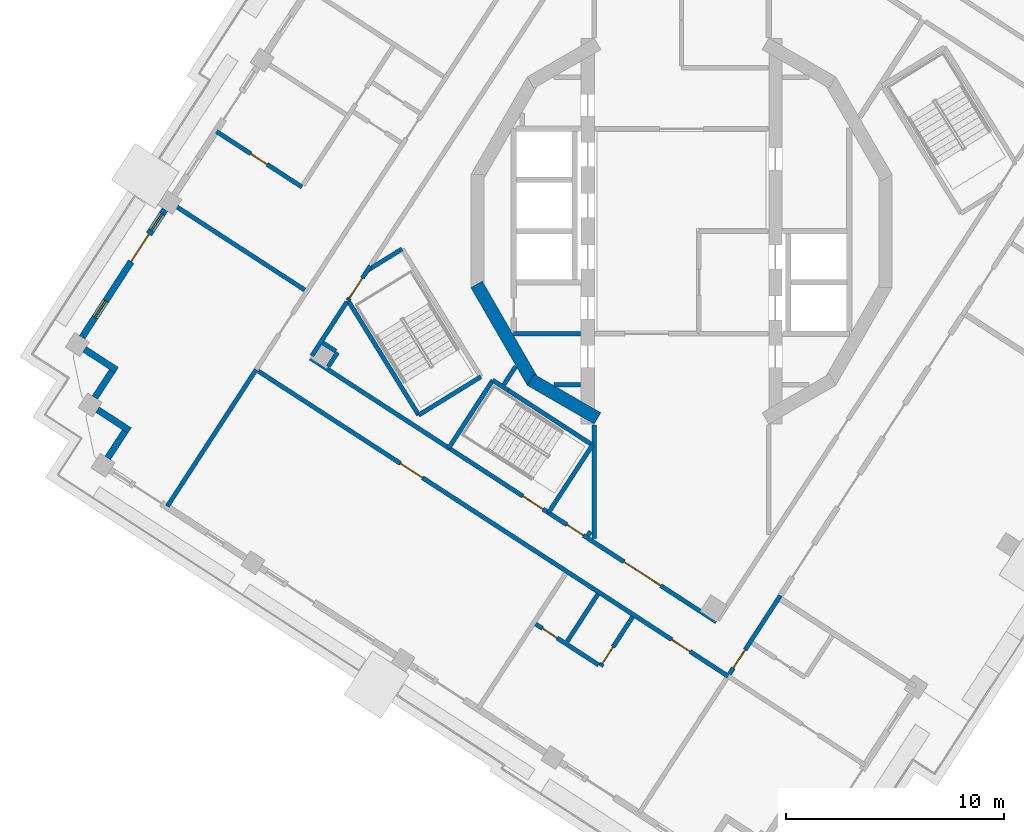
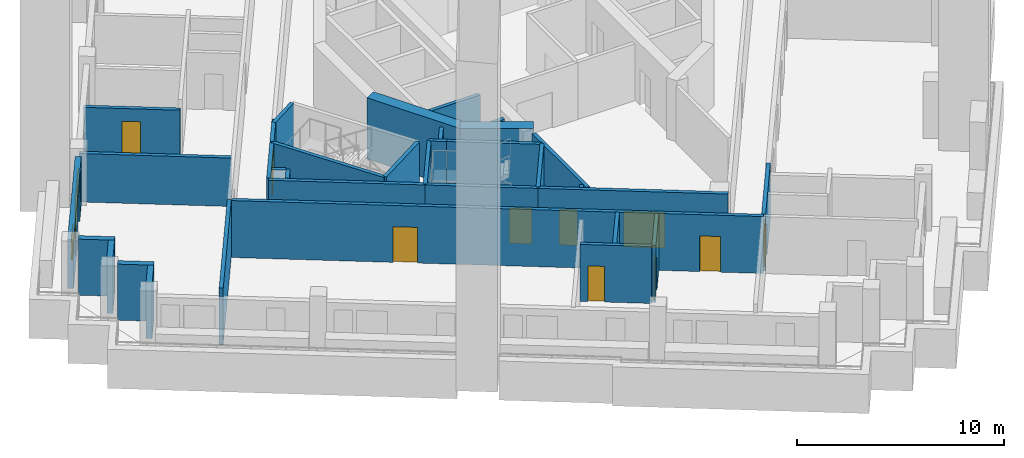
# One storey, part 3 of 15: 34 walls, 11 doors, 2 windows, 13 openings.
"""IFC4 building model written with IfcOpenShell, lengths in metres."""

from ifc_helpers import new_model, si_unit, direction, frame, frame_2d, origin, place, context, subcontext, project, spatial, rectangle, extrude, material, layer, layer_set, type_object, element, fill, save


model = new_model("IFC4")

# Units and contexts
model_context = context("Model", 3, precision=1e-05, world=origin(), true_north=direction((0.0, 1.0)))
body_context = subcontext(model_context, "Body", "Model", "MODEL_VIEW")
ifc_project = project(units=[si_unit("LENGTHUNIT", "METRE"), si_unit("AREAUNIT", "SQUARE_METRE"), si_unit("VOLUMEUNIT", "CUBIC_METRE"), si_unit("PLANEANGLEUNIT", "RADIAN"), si_unit("MASSUNIT", "GRAM", prefix="KILO")], contexts=[model_context])

# Site, building, storey
site_placement = place(None, origin())
site = spatial("IfcSite", under=ifc_project, at=site_placement, CompositionType="ELEMENT")
building_placement = place(site_placement, origin())
building = spatial("IfcBuilding", under=site, at=building_placement, Name="Cantera Rosa Tower", CompositionType="ELEMENT")
storey_placement = place(building_placement, frame((0.0, 0.0, 250.5)))
storey = spatial("IfcBuildingStorey", under=building, at=storey_placement, Name="L55", CompositionType="ELEMENT", Elevation=250.5)

# Wall, openings, doors
ifc_material_1 = material(Name="Gypsum board partition")
ifc_layer_1 = layer(ifc_material_1, 0.199951171875)
ifc_layer_set_1 = layer_set([ifc_layer_1], Name="CORRIDOR WALL 200 H3350")
wall_type_1 = type_object("IfcWallType", Name="CORRIDOR WALL 200 H3350", PredefinedType="PARTITIONING", material=ifc_layer_set_1)
wall_1_placement = place(storey_placement, frame((-19.4052734375, -6.416259765625, 0.0), z_axis=(0.0, 0.0, 1.0), x_axis=(0.83867117695, -0.544638097229, 0.0)))
wall_1 = element("IfcWall", 1, at=wall_1_placement, inside=storey, type_object=wall_type_1, Name="CORRIDOR WALL L55-002", PredefinedType="PARTITIONING", context=body_context, shape_type="SweptSolid", body=[
    extrude(rectangle(XDim=25.679931640625, YDim=0.199951171875, at=frame_2d((12.83984375, 0.0))), origin(), (0.0, 0.0, 1.0), 3.35009765625),
])
opening_1_placement = place(wall_1_placement, frame((7.780029296875, 0.0, 0.0)))
opening_1 = element("IfcOpeningElement", 2, at=opening_1_placement, cuts=wall_1, Name="Opening L55-037", PredefinedType="OPENING", context=body_context, shape_type="SweptSolid", body=[
    extrude(rectangle(XDim=1.199951171875, YDim=2.10009765625, at=frame_2d((0.60009765625, 1.050048828125))), frame((0.0, 0.10986328125, 0.0), z_axis=(0.0, -1.0, 0.0), x_axis=(1.0, 0.0, 0.0)), (0.0, 0.0, 1.0), 0.219970703125),
])
opening_2_placement = place(wall_1_placement, frame((22.60498046875, 0.0, 0.0)))
opening_2 = element("IfcOpeningElement", 3, at=opening_2_placement, cuts=wall_1, Name="Opening L55-038", PredefinedType="OPENING", context=body_context, shape_type="SweptSolid", body=[
    extrude(rectangle(XDim=1.0, YDim=2.10009765625, at=frame_2d((0.5, 1.050048828125))), frame((0.0, 0.10986328125, 0.0), z_axis=(0.0, -1.0, 0.0), x_axis=(1.0, 0.0, 0.0)), (0.0, 0.0, 1.0), 0.219970703125),
])
ifc_material_2 = material(Name="Timber door leaf", Category="wood")
door_type_1 = type_object("IfcDoorType", Name="ENTRANCE DOOR 1000x2100", OperationType="NOTDEFINED", PredefinedType="DOOR", material=ifc_material_2)
door_1_placement = place(opening_2_placement, origin())
door_1 = element("IfcDoor", 4, at=door_1_placement, inside=storey, type_object=door_type_1, Name="DOOR L55-038", OperationType="NOTDEFINED", OverallHeight=2.10009765625, OverallWidth=1.0, PredefinedType="DOOR", context=body_context, shape_type="SweptSolid", body=[
    extrude(rectangle(XDim=1.0, YDim=2.10009765625, at=frame_2d((0.5, 1.050048828125))), frame((0.0, 0.02490234375, 0.0), z_axis=(0.0, -1.0, 0.0), x_axis=(1.0, 0.0, 0.0)), (0.0, 0.0, 1.0), 0.050048828125),
])
fill(opening_2, door_1)
ifc_material_3 = material(Name="Timber door leaf", Category="wood")
door_type_2 = type_object("IfcDoorType", Name="ROOM DOOR 1200x2100", OperationType="NOTDEFINED", PredefinedType="DOOR", material=ifc_material_3)
door_2_placement = place(opening_1_placement, origin())
door_2 = element("IfcDoor", 5, at=door_2_placement, inside=storey, type_object=door_type_2, Name="DOOR L55-037", OperationType="NOTDEFINED", OverallHeight=2.10009765625, OverallWidth=1.199951171875, PredefinedType="DOOR", context=body_context, shape_type="SweptSolid", body=[
    extrude(rectangle(XDim=1.199951171875, YDim=2.10009765625, at=frame_2d((0.60009765625, 1.050048828125))), frame((0.0, 0.02490234375, 0.0), z_axis=(0.0, -1.0, 0.0), x_axis=(1.0, 0.0, 0.0)), (0.0, 0.0, 1.0), 0.050048828125),
])
fill(opening_1, door_2)

# Walls
wall_2_placement = place(storey_placement, frame((-17.015869140625, -5.82177734375, 0.0), z_axis=(0.0, 0.0, 1.0), x_axis=(0.838672854678, -0.544635513739, 0.0)))
element("IfcWall", 6, at=wall_2_placement, inside=storey, type_object=wall_type_1, Name="CORRIDOR WALL L55-005", PredefinedType="PARTITIONING", context=body_context, shape_type="SweptSolid", body=[
    extrude(rectangle(XDim=7.56494140625, YDim=0.199951171875, at=frame_2d((3.782470703125, 0.0))), origin(), (0.0, 0.0, 1.0), 3.35009765625),
])
wall_3_placement = place(storey_placement, frame((-15.349853515625, -3.256103515625, 0.0), z_axis=(0.0, 0.0, 1.0), x_axis=(-0.544576607641, -0.838711105453, 0.0)))
element("IfcWall", 7, at=wall_3_placement, inside=storey, type_object=wall_type_1, Name="CORRIDOR WALL L55-008", PredefinedType="PARTITIONING", context=body_context, shape_type="SweptSolid", body=[
    extrude(rectangle(XDim=2.939208984375, YDim=0.199951171875, at=frame_2d((1.4697265625, 0.0))), origin(), (0.0, 0.0, 1.0), 3.35009765625),
])

# Wall, openings, doors
wall_4_placement = place(storey_placement, frame((-6.1005859375, -12.91015625, 0.0), z_axis=(0.0, 0.0, 1.0), x_axis=(0.838671883824, -0.544637008734, 0.0)))
wall_4 = element("IfcWall", 8, at=wall_4_placement, inside=storey, type_object=wall_type_1, Name="CORRIDOR WALL L55-031", PredefinedType="PARTITIONING", context=body_context, shape_type="SweptSolid", body=[
    extrude(rectangle(XDim=9.184814453125, YDim=0.199951171875, at=frame_2d((4.59228515625, 0.0))), origin(), (0.0, 0.0, 1.0), 3.35009765625),
])
opening_3_placement = place(wall_4_placement, frame((1.009521484375, 0.0, 0.0)))
opening_3 = element("IfcOpeningElement", 9, at=opening_3_placement, cuts=wall_4, Name="Opening L55-005", PredefinedType="OPENING", context=body_context, shape_type="SweptSolid", body=[
    extrude(rectangle(XDim=0.89990234375, YDim=2.10009765625, at=frame_2d((0.449951171875, 1.050048828125))), frame((0.0, 0.10986328125, 0.0), z_axis=(0.0, -1.0, 0.0), x_axis=(1.0, 0.0, 0.0)), (0.0, 0.0, 1.0), 0.219970703125),
])
opening_4_placement = place(wall_4_placement, frame((4.135009765625, 0.0, 0.0)))
opening_4 = element("IfcOpeningElement", 10, at=opening_4_placement, cuts=wall_4, Name="Opening L55-010", PredefinedType="OPENING", context=body_context, shape_type="SweptSolid", body=[
    extrude(rectangle(XDim=2.0, YDim=2.10009765625, at=frame_2d((1.0, 1.050048828125))), frame((0.0, 0.10986328125, 0.0), z_axis=(0.0, -1.0, 0.0), x_axis=(1.0, 0.0, 0.0)), (0.0, 0.0, 1.0), 0.219970703125),
])
ifc_material_4 = material(Name="Steel S355J2 (EN 10025-2)", Category="steel")
door_type_3 = type_object("IfcDoorType", Name="LOBBY SCREEN DOOR 2000x2100", OperationType="NOTDEFINED", PredefinedType="DOOR", material=ifc_material_4)
door_3_placement = place(opening_4_placement, origin())
door_3 = element("IfcDoor", 11, at=door_3_placement, inside=storey, type_object=door_type_3, Name="DOOR L55-010", OperationType="NOTDEFINED", OverallHeight=2.10009765625, OverallWidth=2.0, PredefinedType="DOOR", context=body_context, shape_type="SweptSolid", body=[
    extrude(rectangle(XDim=2.0, YDim=2.10009765625, at=frame_2d((1.0, 1.050048828125))), frame((0.0, 0.02490234375, 0.0), z_axis=(0.0, -1.0, 0.0), x_axis=(1.0, 0.0, 0.0)), (0.0, 0.0, 1.0), 0.050048828125),
])
fill(opening_4, door_3)
ifc_material_5 = material(Name="Timber door leaf", Category="wood")
door_type_4 = type_object("IfcDoorType", Name="SERVICE DOOR 900x2100", OperationType="NOTDEFINED", PredefinedType="DOOR", material=ifc_material_5)
door_4_placement = place(opening_3_placement, origin())
door_4 = element("IfcDoor", 12, at=door_4_placement, inside=storey, type_object=door_type_4, Name="DOOR L55-005", OperationType="NOTDEFINED", OverallHeight=2.10009765625, OverallWidth=0.89990234375, PredefinedType="DOOR", context=body_context, shape_type="SweptSolid", body=[
    extrude(rectangle(XDim=0.89990234375, YDim=2.10009765625, at=frame_2d((0.449951171875, 1.050048828125))), frame((0.0, 0.02490234375, 0.0), z_axis=(0.0, -1.0, 0.0), x_axis=(1.0, 0.0, 0.0)), (0.0, 0.0, 1.0), 0.050048828125),
])
fill(opening_3, door_4)

# Wall
wall_5_placement = place(storey_placement, frame((-4.0, -14.09423828125, 0.0), z_axis=(0.0, 0.0, 1.0), x_axis=(0.0, 1.0, 0.0)))
element("IfcWall", 13, at=wall_5_placement, inside=storey, type_object=wall_type_1, Name="CORRIDOR WALL L55-039", PredefinedType="PARTITIONING", context=body_context, shape_type="SweptSolid", body=[
    extrude(rectangle(XDim=5.21533203125, YDim=0.199951171875, at=frame_2d((2.607666015625, 0.0))), origin(), (0.0, 0.0, 1.0), 3.35009765625),
])

# Wall, opening, door
wall_6_placement = place(storey_placement, frame((2.197265625, -20.302001953125, 0.0), z_axis=(0.0, 0.0, 1.0), x_axis=(0.544627823196, 0.83867784888, 0.0)))
wall_6 = element("IfcWall", 14, at=wall_6_placement, inside=storey, type_object=wall_type_1, Name="CORRIDOR WALL L55-059", PredefinedType="PARTITIONING", context=body_context, shape_type="SweptSolid", body=[
    extrude(rectangle(XDim=4.284912109375, YDim=0.199951171875, at=frame_2d((2.142578125, 0.0))), origin(), (0.0, 0.0, 1.0), 3.35009765625),
])
opening_5_placement = place(wall_6_placement, frame((0.320068359375, 0.0, 0.0)))
opening_5 = element("IfcOpeningElement", 15, at=opening_5_placement, cuts=wall_6, Name="Opening L55-043", PredefinedType="OPENING", context=body_context, shape_type="SweptSolid", body=[
    extrude(rectangle(XDim=1.0, YDim=2.10009765625, at=frame_2d((0.5, 1.050048828125))), frame((0.0, 0.10986328125, 0.0), z_axis=(0.0, -1.0, 0.0), x_axis=(1.0, 0.0, 0.0)), (0.0, 0.0, 1.0), 0.219970703125),
])
door_5_placement = place(opening_5_placement, origin())
door_5 = element("IfcDoor", 16, at=door_5_placement, inside=storey, type_object=door_type_1, Name="DOOR L55-043", OperationType="NOTDEFINED", OverallHeight=2.10009765625, OverallWidth=1.0, PredefinedType="DOOR", context=body_context, shape_type="SweptSolid", body=[
    extrude(rectangle(XDim=1.0, YDim=2.10009765625, at=frame_2d((0.5, 1.050048828125))), frame((0.0, 0.02490234375, 0.0), z_axis=(0.0, -1.0, 0.0), x_axis=(1.0, 0.0, 0.0)), (0.0, 0.0, 1.0), 0.050048828125),
])
fill(opening_5, door_5)

# Walls
ifc_material_6 = material(Name="Hollow clay masonry with cantera stone cladding", Category="masonry")
ifc_layer_2 = layer(ifc_material_6, 0.300048828125)
ifc_layer_set_2 = layer_set([ifc_layer_2], Name="EW-LOGGIA 300")
wall_type_2 = type_object("IfcWallType", Name="EW-LOGGIA 300", PredefinedType="SOLIDWALL", material=ifc_layer_set_2)
wall_7_placement = place(storey_placement, frame((-27.36669921875, -5.41943359375, 0.0), z_axis=(0.0, 0.0, 1.0), x_axis=(0.838685761837, -0.54461563776, 0.0)))
element("IfcWall", 17, at=wall_7_placement, inside=storey, type_object=wall_type_2, Name="EN-L55-W12a", PredefinedType="SOLIDWALL", context=body_context, shape_type="SweptSolid", body=[
    extrude(rectangle(XDim=1.75, YDim=0.300048828125, at=frame_2d((0.875, 0.0))), origin(), (0.0, 0.0, 1.0), 3.300048828125),
])
wall_8_placement = place(storey_placement, frame((-26.1064453125, -6.41650390625, 0.0), z_axis=(0.0, 0.0, 1.0), x_axis=(-0.54467465438, -0.838647435384, 0.0)))
element("IfcWall", 18, at=wall_8_placement, inside=storey, type_object=wall_type_2, Name="EN-L55-W12b", PredefinedType="SOLIDWALL", context=body_context, shape_type="SweptSolid", body=[
    extrude(rectangle(XDim=1.449951171875, YDim=0.300048828125, at=frame_2d((0.72509765625, 0.0))), origin(), (0.0, 0.0, 1.0), 3.300048828125),
])
wall_9_placement = place(storey_placement, frame((-26.778564453125, -8.18603515625, 0.0), z_axis=(0.0, 0.0, 1.0), x_axis=(0.838685761837, -0.54461563776, 0.0)))
element("IfcWall", 19, at=wall_9_placement, inside=storey, type_object=wall_type_2, Name="EN-L55-W13a", PredefinedType="SOLIDWALL", context=body_context, shape_type="SweptSolid", body=[
    extrude(rectangle(XDim=1.75, YDim=0.300048828125, at=frame_2d((0.875, 0.0))), origin(), (0.0, 0.0, 1.0), 3.300048828125),
])
wall_10_placement = place(storey_placement, frame((-25.518310546875, -9.18310546875, 0.0), z_axis=(0.0, 0.0, 1.0), x_axis=(-0.54467465438, -0.838647435384, 0.0)))
element("IfcWall", 20, at=wall_10_placement, inside=storey, type_object=wall_type_2, Name="EN-L55-W13b", PredefinedType="SOLIDWALL", context=body_context, shape_type="SweptSolid", body=[
    extrude(rectangle(XDim=1.449951171875, YDim=0.300048828125, at=frame_2d((0.72509765625, 0.0))), origin(), (0.0, 0.0, 1.0), 3.300048828125),
])

# Wall, openings, windows, door
ifc_material_7 = material(Name="Hollow clay masonry with cantera stone cladding", Category="masonry")
ifc_layer_3 = layer(ifc_material_7, 0.300048828125)
ifc_layer_set_3 = layer_set([ifc_layer_3], Name="EW-LOGGIA 300 H2890")
wall_type_3 = type_object("IfcWallType", Name="EW-LOGGIA 300 H2890", PredefinedType="SOLIDWALL", material=ifc_layer_set_3)
wall_11_placement = place(storey_placement, frame((-23.6826171875, 0.98779296875, 0.0), z_axis=(0.0, 0.0, 1.0), x_axis=(-0.544667428764, -0.838652128146, 0.0)))
wall_11 = element("IfcWall", 21, at=wall_11_placement, inside=storey, type_object=wall_type_3, Name="EN-L55-W11", PredefinedType="SOLIDWALL", context=body_context, shape_type="SweptSolid", body=[
    extrude(rectangle(XDim=6.97998046875, YDim=0.300048828125, at=frame_2d((3.489990234375, 0.0))), origin(), (0.0, 0.0, 1.0), 2.889892578125),
])
opening_6_placement = place(wall_11_placement, frame((0.2451171875, 0.0, 0.89990234375)))
opening_6 = element("IfcOpeningElement", 22, at=opening_6_placement, cuts=wall_11, Name="Opening L55-W25", PredefinedType="OPENING", context=body_context, shape_type="SweptSolid", body=[
    extrude(rectangle(XDim=0.89990234375, YDim=1.5, at=frame_2d((0.449951171875, 0.75))), frame((0.0, 0.159912109375, 0.0), z_axis=(0.0, -1.0, 0.0), x_axis=(1.0, 0.0, 0.0)), (0.0, 0.0, 1.0), 0.320068359375),
])
opening_7_placement = place(wall_11_placement, frame((1.344970703125, 0.0, 0.0)))
opening_7 = element("IfcOpeningElement", 23, at=opening_7_placement, cuts=wall_11, Name="Opening L55-TD26", PredefinedType="OPENING", context=body_context, shape_type="SweptSolid", body=[
    extrude(rectangle(XDim=1.5, YDim=2.39990234375, at=frame_2d((0.75, 1.199951171875))), frame((0.0, 0.159912109375, 0.0), z_axis=(0.0, -1.0, 0.0), x_axis=(1.0, 0.0, 0.0)), (0.0, 0.0, 1.0), 0.320068359375),
])
opening_8_placement = place(wall_11_placement, frame((4.985107421875, 0.0, 0.89990234375)))
opening_8 = element("IfcOpeningElement", 24, at=opening_8_placement, cuts=wall_11, Name="Opening L55-W27", PredefinedType="OPENING", context=body_context, shape_type="SweptSolid", body=[
    extrude(rectangle(XDim=0.89990234375, YDim=1.5, at=frame_2d((0.449951171875, 0.75))), frame((0.0, 0.159912109375, 0.0), z_axis=(0.0, -1.0, 0.0), x_axis=(1.0, 0.0, 0.0)), (0.0, 0.0, 1.0), 0.320068359375),
])
ifc_material_8 = material(Name="Aluminium frame with clear glass", Category="aluminium")
window_type = type_object("IfcWindowType", Name="Residential window 900x1500", PartitioningType="SINGLE_PANEL", PredefinedType="WINDOW", material=ifc_material_8)
window_1_placement = place(opening_6_placement, origin())
window_1 = element("IfcWindow", 25, at=window_1_placement, inside=storey, type_object=window_type, Name="WINDOW L55-W25", OverallHeight=1.5, OverallWidth=0.89990234375, PartitioningType="SINGLE_PANEL", PredefinedType="WINDOW", context=body_context, shape_type="SweptSolid", body=[
    extrude(rectangle(XDim=0.89990234375, YDim=1.5, at=frame_2d((0.449951171875, 0.75))), frame((0.0, 0.030029296875, 0.0), z_axis=(0.0, -1.0, 0.0), x_axis=(1.0, 0.0, 0.0)), (0.0, 0.0, 1.0), 0.06005859375),
])
fill(opening_6, window_1)
window_2_placement = place(opening_8_placement, origin())
window_2 = element("IfcWindow", 26, at=window_2_placement, inside=storey, type_object=window_type, Name="WINDOW L55-W27", OverallHeight=1.5, OverallWidth=0.89990234375, PartitioningType="SINGLE_PANEL", PredefinedType="WINDOW", context=body_context, shape_type="SweptSolid", body=[
    extrude(rectangle(XDim=0.89990234375, YDim=1.5, at=frame_2d((0.449951171875, 0.75))), frame((0.0, 0.030029296875, 0.0), z_axis=(0.0, -1.0, 0.0), x_axis=(1.0, 0.0, 0.0)), (0.0, 0.0, 1.0), 0.06005859375),
])
fill(opening_8, window_2)
ifc_material_9 = material(Name="Aluminium frame with clear glass", Category="aluminium")
door_type_5 = type_object("IfcDoorType", Name="TD-R 1500x2400", OperationType="NOTDEFINED", PredefinedType="DOOR", material=ifc_material_9)
door_6_placement = place(opening_7_placement, origin())
door_6 = element("IfcDoor", 27, at=door_6_placement, inside=storey, type_object=door_type_5, Name="LOGGIA DOOR L55-TD26", OperationType="SLIDING_TO_LEFT", OverallHeight=2.39990234375, OverallWidth=1.5, PredefinedType="DOOR", context=body_context, shape_type="SweptSolid", body=[
    extrude(rectangle(XDim=1.5, YDim=2.39990234375, at=frame_2d((0.75, 1.199951171875))), frame((0.0, 0.02490234375, 0.0), z_axis=(0.0, -1.0, 0.0), x_axis=(1.0, 0.0, 0.0)), (0.0, 0.0, 1.0), 0.050048828125),
])
fill(opening_7, door_6)

# Wall, opening, door
ifc_material_10 = material(Name="Gypsum board partition")
ifc_layer_4 = layer(ifc_material_10, 0.199951171875)
ifc_layer_set_4 = layer_set([ifc_layer_4], Name="PARTITION 200 H2850")
wall_type_4 = type_object("IfcWallType", Name="PARTITION 200 H2850", PredefinedType="PARTITIONING", material=ifc_layer_set_4)
wall_12_placement = place(storey_placement, frame((-17.404296875, 2.02587890625, 0.0), z_axis=(0.0, 0.0, 1.0), x_axis=(-0.838681218127, 0.544622634822, 0.0)))
wall_12 = element("IfcWall", 28, at=wall_12_placement, inside=storey, type_object=wall_type_4, Name="PARTITION L55-003", PredefinedType="PARTITIONING", context=body_context, shape_type="SweptSolid", body=[
    extrude(rectangle(XDim=4.670166015625, YDim=0.199951171875, at=frame_2d((2.3349609375, 0.0))), origin(), (0.0, 0.0, 1.0), 2.85009765625),
])
opening_9_placement = place(wall_12_placement, frame((1.89990234375, 0.0, 0.0)))
opening_9 = element("IfcOpeningElement", 29, at=opening_9_placement, cuts=wall_12, Name="Opening L55-032", PredefinedType="OPENING", context=body_context, shape_type="SweptSolid", body=[
    extrude(rectangle(XDim=0.89990234375, YDim=2.10009765625, at=frame_2d((0.449951171875, 1.050048828125))), frame((0.0, 0.10986328125, 0.0), z_axis=(0.0, -1.0, 0.0), x_axis=(1.0, 0.0, 0.0)), (0.0, 0.0, 1.0), 0.219970703125),
])
ifc_material_11 = material(Name="Timber door leaf", Category="wood")
door_type_6 = type_object("IfcDoorType", Name="ROOM DOOR 900x2100", OperationType="NOTDEFINED", PredefinedType="DOOR", material=ifc_material_11)
door_7_placement = place(opening_9_placement, origin())
door_7 = element("IfcDoor", 30, at=door_7_placement, inside=storey, type_object=door_type_6, Name="DOOR L55-032", OperationType="NOTDEFINED", OverallHeight=2.10009765625, OverallWidth=0.89990234375, PredefinedType="DOOR", context=body_context, shape_type="SweptSolid", body=[
    extrude(rectangle(XDim=0.89990234375, YDim=2.10009765625, at=frame_2d((0.449951171875, 1.050048828125))), frame((0.0, 0.02490234375, 0.0), z_axis=(0.0, -1.0, 0.0), x_axis=(1.0, 0.0, 0.0)), (0.0, 0.0, 1.0), 0.050048828125),
])
fill(opening_9, door_7)

# Walls
ifc_material_12 = material(Name="Gypsum board partition")
ifc_layer_5 = layer(ifc_material_12, 0.199951171875)
ifc_layer_set_5 = layer_set([ifc_layer_5], Name="PARTITION 200 H3350")
wall_type_5 = type_object("IfcWallType", Name="PARTITION 200 H3350", PredefinedType="PARTITIONING", material=ifc_layer_set_5)
wall_13_placement = place(storey_placement, frame((-19.505859375, -6.35107421875, 0.0), z_axis=(0.0, 0.0, 1.0), x_axis=(-0.544643659397, -0.838667564818, 0.0)))
element("IfcWall", 31, at=wall_13_placement, inside=storey, type_object=wall_type_5, Name="PARTITION L55-001", PredefinedType="PARTITIONING", context=body_context, shape_type="SweptSolid", body=[
    extrude(rectangle(XDim=7.4697265625, YDim=0.199951171875, at=frame_2d((3.73486328125, 0.0))), origin(), (0.0, 0.0, 1.0), 3.35009765625),
])
wall_14_placement = place(storey_placement, frame((-16.19580078125, -6.211181640625, 0.0), z_axis=(0.0, 0.0, 1.0), x_axis=(0.544691230082, 0.838636669764, 0.0)))
element("IfcWall", 32, at=wall_14_placement, inside=storey, type_object=wall_type_5, Name="PARTITION L55-006", PredefinedType="PARTITIONING", context=body_context, shape_type="SweptSolid", body=[
    extrude(rectangle(XDim=0.77978515625, YDim=0.199951171875, at=frame_2d((0.389892578125, 0.0))), origin(), (0.0, 0.0, 1.0), 3.35009765625),
])
wall_15_placement = place(storey_placement, frame((-15.854736328125, -5.502685546875, 0.0), z_axis=(0.0, 0.0, 1.0), x_axis=(-0.838642734471, 0.544681892409, 0.0)))
element("IfcWall", 33, at=wall_15_placement, inside=storey, type_object=wall_type_5, Name="PARTITION L55-007", PredefinedType="PARTITIONING", context=body_context, shape_type="SweptSolid", body=[
    extrude(rectangle(XDim=0.7001953125, YDim=0.199951171875, at=frame_2d((0.35009765625, 0.0))), origin(), (0.0, 0.0, 1.0), 3.35009765625),
])
wall_16_placement = place(storey_placement, frame((-7.699951171875, -4.699951171875, 0.0), z_axis=(0.0, 0.0, 1.0), x_axis=(1.0, 0.0, 0.0)))
element("IfcWall", 34, at=wall_16_placement, inside=storey, type_object=wall_type_5, Name="PARTITION L55-022", PredefinedType="PARTITIONING", context=body_context, shape_type="SweptSolid", body=[
    extrude(rectangle(XDim=3.070068359375, YDim=0.199951171875, at=frame_2d((1.53515625, 0.0))), origin(), (0.0, 0.0, 1.0), 3.35009765625),
])
wall_17_placement = place(storey_placement, frame((-7.606201171875, -6.2041015625, 0.0), z_axis=(0.0, 0.0, 1.0), x_axis=(-0.544534187317, -0.838738647519, 0.0)))
element("IfcWall", 35, at=wall_17_placement, inside=storey, type_object=wall_type_5, Name="PARTITION L55-027", PredefinedType="PARTITIONING", context=body_context, shape_type="SweptSolid", body=[
    extrude(rectangle(XDim=1.001708984375, YDim=0.199951171875, at=frame_2d((0.5009765625, 0.0))), origin(), (0.0, 0.0, 1.0), 3.35009765625),
])
wall_18_placement = place(storey_placement, frame((-4.6298828125, -7.050048828125, 0.0), z_axis=(0.0, 0.0, 1.0), x_axis=(-1.0, 0.0, 0.0)))
element("IfcWall", 36, at=wall_18_placement, inside=storey, type_object=wall_type_5, Name="PARTITION L55-036", PredefinedType="PARTITIONING", context=body_context, shape_type="SweptSolid", body=[
    extrude(rectangle(XDim=1.2177734375, YDim=0.199951171875, at=frame_2d((0.60888671875, 0.0))), origin(), (0.0, 0.0, 1.0), 3.35009765625),
])
wall_19_placement = place(storey_placement, frame((-4.17431640625, -13.772216796875, 0.0), z_axis=(0.0, 0.0, 1.0), x_axis=(-0.544950419994, -0.838468269971, 0.0)))
element("IfcWall", 37, at=wall_19_placement, inside=storey, type_object=wall_type_5, Name="PARTITION L55-040", PredefinedType="PARTITIONING", context=body_context, shape_type="SweptSolid", body=[
    extrude(rectangle(XDim=0.226318359375, YDim=0.199951171875, at=frame_2d((0.11328125, 0.0))), origin(), (0.0, 0.0, 1.0), 3.35009765625),
])
wall_20_placement = place(storey_placement, frame((-3.835205078125, -16.646728515625, 0.0), z_axis=(0.0, 0.0, 1.0), x_axis=(-0.544659035015, -0.838657579454, 0.0)))
element("IfcWall", 38, at=wall_20_placement, inside=storey, type_object=wall_type_5, Name="PARTITION L55-043", PredefinedType="PARTITIONING", context=body_context, shape_type="SweptSolid", body=[
    extrude(rectangle(XDim=2.580078125, YDim=0.199951171875, at=frame_2d((1.2900390625, 0.0))), origin(), (0.0, 0.0, 1.0), 3.35009765625),
])

# Wall, opening, door
wall_21_placement = place(storey_placement, frame((-3.796142578125, -19.8916015625, 0.0), z_axis=(0.0, 0.0, 1.0), x_axis=(-0.838695740102, 0.544600271332, 0.0)))
wall_21 = element("IfcWall", 39, at=wall_21_placement, inside=storey, type_object=wall_type_5, Name="PARTITION L55-044", PredefinedType="PARTITIONING", context=body_context, shape_type="SweptSolid", body=[
    extrude(rectangle(XDim=3.449951171875, YDim=0.199951171875, at=frame_2d((1.72509765625, 0.0))), origin(), (0.0, 0.0, 1.0), 3.35009765625),
])
opening_10_placement = place(wall_21_placement, frame((2.27490234375, 0.0, 0.0)))
opening_10 = element("IfcOpeningElement", 40, at=opening_10_placement, cuts=wall_21, Name="Opening L55-039", PredefinedType="OPENING", context=body_context, shape_type="SweptSolid", body=[
    extrude(rectangle(XDim=0.800048828125, YDim=2.10009765625, at=frame_2d((0.39990234375, 1.050048828125))), frame((0.0, 0.10986328125, 0.0), z_axis=(0.0, -1.0, 0.0), x_axis=(1.0, 0.0, 0.0)), (0.0, 0.0, 1.0), 0.219970703125),
])
ifc_material_13 = material(Name="Timber door leaf", Category="wood")
door_type_7 = type_object("IfcDoorType", Name="BATHROOM DOOR 800x2100", OperationType="NOTDEFINED", PredefinedType="DOOR", material=ifc_material_13)
door_8_placement = place(opening_10_placement, origin())
door_8 = element("IfcDoor", 41, at=door_8_placement, inside=storey, type_object=door_type_7, Name="DOOR L55-039", OperationType="NOTDEFINED", OverallHeight=2.10009765625, OverallWidth=0.800048828125, PredefinedType="DOOR", context=body_context, shape_type="SweptSolid", body=[
    extrude(rectangle(XDim=0.800048828125, YDim=2.10009765625, at=frame_2d((0.39990234375, 1.050048828125))), frame((0.0, 0.02490234375, 0.0), z_axis=(0.0, -1.0, 0.0), x_axis=(1.0, 0.0, 0.0)), (0.0, 0.0, 1.0), 0.050048828125),
])
fill(opening_10, door_8)

wall_22_placement = place(storey_placement, frame((-2.24169921875, -17.681640625, 0.0), z_axis=(0.0, 0.0, 1.0), x_axis=(-0.544686387605, -0.838639814913, 0.0)))
wall_22 = element("IfcWall", 42, at=wall_22_placement, inside=storey, type_object=wall_type_5, Name="PARTITION L55-045", PredefinedType="PARTITIONING", context=body_context, shape_type="SweptSolid", body=[
    extrude(rectangle(XDim=2.7001953125, YDim=0.199951171875, at=frame_2d((1.35009765625, 0.0))), origin(), (0.0, 0.0, 1.0), 3.35009765625),
])
opening_11_placement = place(wall_22_placement, frame((1.64990234375, 0.0, 0.0)))
opening_11 = element("IfcOpeningElement", 43, at=opening_11_placement, cuts=wall_22, Name="Opening L55-040", PredefinedType="OPENING", context=body_context, shape_type="SweptSolid", body=[
    extrude(rectangle(XDim=0.89990234375, YDim=2.10009765625, at=frame_2d((0.449951171875, 1.050048828125))), frame((0.0, 0.10986328125, 0.0), z_axis=(0.0, -1.0, 0.0), x_axis=(1.0, 0.0, 0.0)), (0.0, 0.0, 1.0), 0.219970703125),
])
door_9_placement = place(opening_11_placement, origin())
door_9 = element("IfcDoor", 44, at=door_9_placement, inside=storey, type_object=door_type_6, Name="DOOR L55-040", OperationType="NOTDEFINED", OverallHeight=2.10009765625, OverallWidth=0.89990234375, PredefinedType="DOOR", context=body_context, shape_type="SweptSolid", body=[
    extrude(rectangle(XDim=0.89990234375, YDim=2.10009765625, at=frame_2d((0.449951171875, 1.050048828125))), frame((0.0, 0.02490234375, 0.0), z_axis=(0.0, -1.0, 0.0), x_axis=(1.0, 0.0, 0.0)), (0.0, 0.0, 1.0), 0.050048828125),
])
fill(opening_11, door_9)

# Walls
ifc_material_14 = material(Name="Gypsum board partition")
ifc_layer_6 = layer(ifc_material_14, 0.199951171875)
ifc_layer_set_6 = layer_set([ifc_layer_6], Name="PARTY WALL 200 H2850")
wall_type_6 = type_object("IfcWallType", Name="PARTY WALL 200 H2850", PredefinedType="PARTITIONING", material=ifc_layer_set_6)
wall_23_placement = place(storey_placement, frame((-17.275390625, -2.696044921875, 0.0), z_axis=(0.0, 0.0, 1.0), x_axis=(-0.838684106336, 0.544618187155, 0.0)))
element("IfcWall", 45, at=wall_23_placement, inside=storey, type_object=wall_type_6, Name="PARTY WALL L55-004", PredefinedType="PARTITIONING", context=body_context, shape_type="SweptSolid", body=[
    extrude(rectangle(XDim=7.349853515625, YDim=0.199951171875, at=frame_2d((3.6748046875, 0.0))), origin(), (0.0, 0.0, 1.0), 2.85009765625),
])
ifc_material_15 = material(Name="Concrete C50/60", Category="concrete")
ifc_layer_7 = layer(ifc_material_15, 0.60009765625)
ifc_layer_set_7 = layer_set([ifc_layer_7], Name="RC CORE WALL 600 C50/60")
wall_type_7 = type_object("IfcWallType", Name="RC CORE WALL 600 C50/60", PredefinedType="SHEAR", material=ifc_layer_set_7)
wall_24_placement = place(storey_placement, frame((-3.85009765625, -8.584228515625, 0.0), z_axis=(0.0, 0.0, 1.0), x_axis=(-0.866039982607, 0.499974747889, 0.0)))
element("IfcWall", 46, at=wall_24_placement, inside=storey, type_object=wall_type_7, Name="CW-W1 L55", PredefinedType="SHEAR", context=body_context, shape_type="SweptSolid", body=[
    extrude(rectangle(XDim=3.546142578125, YDim=0.60009765625, at=frame_2d((1.77294921875, 0.0))), origin(), (0.0, 0.0, 1.0), 3.60009765625),
])
wall_25_placement = place(storey_placement, frame((-6.811279296875, -6.921142578125, 0.0), z_axis=(0.0, 0.0, 1.0), x_axis=(-0.499989188378, 0.866031645787, 0.0)))
element("IfcWall", 47, at=wall_25_placement, inside=storey, type_object=wall_type_7, Name="CW-W2 L55", PredefinedType="SHEAR", context=body_context, shape_type="SweptSolid", body=[
    extrude(rectangle(XDim=5.17626953125, YDim=0.60009765625, at=frame_2d((2.588134765625, 0.0))), origin(), (0.0, 0.0, 1.0), 3.60009765625),
])
ifc_material_16 = material(Name="Concrete C50/60", Category="concrete")
ifc_layer_8 = layer(ifc_material_16, 0.199951171875)
ifc_layer_set_8 = layer_set([ifc_layer_8], Name="STAIR WALL 200 H3350")
wall_type_8 = type_object("IfcWallType", Name="STAIR WALL 200 H3350", PredefinedType="SOLIDWALL", material=ifc_layer_set_8)
wall_26_placement = place(storey_placement, frame((-15.29541015625, -3.17236328125, 0.0), z_axis=(0.0, 0.0, 1.0), x_axis=(0.524983142341, -0.851112624896, 0.0)))
element("IfcWall", 48, at=wall_26_placement, inside=storey, type_object=wall_type_8, Name="STAIR WALL L55-009", PredefinedType="SOLIDWALL", context=body_context, shape_type="SweptSolid", body=[
    extrude(rectangle(XDim=6.180419921875, YDim=0.199951171875, at=frame_2d((3.09033203125, 0.0))), origin(), (0.0, 0.0, 1.0), 3.35009765625),
])

# Wall, opening, door
wall_27_placement = place(storey_placement, frame((-14.268310546875, -1.5908203125, 0.0), z_axis=(0.0, 0.0, 1.0), x_axis=(-0.544651565877, -0.838662430176, 0.0)))
wall_27 = element("IfcWall", 49, at=wall_27_placement, inside=storey, type_object=wall_type_8, Name="STAIR WALL L55-011", PredefinedType="SOLIDWALL", context=body_context, shape_type="SweptSolid", body=[
    extrude(rectangle(XDim=1.8857421875, YDim=0.199951171875, at=frame_2d((0.94287109375, 0.0))), origin(), (0.0, 0.0, 1.0), 3.35009765625),
])
opening_12_placement = place(wall_27_placement, frame((0.6689453125, 0.0, 0.0)))
opening_12 = element("IfcOpeningElement", 50, at=opening_12_placement, cuts=wall_27, Name="Opening L55-002", PredefinedType="OPENING", context=body_context, shape_type="SweptSolid", body=[
    extrude(rectangle(XDim=1.10009765625, YDim=2.10009765625, at=frame_2d((0.550048828125, 1.050048828125))), frame((0.0, 0.10986328125, 0.0), z_axis=(0.0, -1.0, 0.0), x_axis=(1.0, 0.0, 0.0)), (0.0, 0.0, 1.0), 0.219970703125),
])
ifc_material_17 = material(Name="Steel S355J2 (EN 10025-2)", Category="steel")
door_type_8 = type_object("IfcDoorType", Name="STAIR DOOR 1100x2100", OperationType="NOTDEFINED", PredefinedType="DOOR", material=ifc_material_17)
door_10_placement = place(opening_12_placement, origin())
door_10 = element("IfcDoor", 51, at=door_10_placement, inside=storey, type_object=door_type_8, Name="DOOR L55-002", OperationType="NOTDEFINED", OverallHeight=2.10009765625, OverallWidth=1.10009765625, PredefinedType="DOOR", context=body_context, shape_type="SweptSolid", body=[
    extrude(rectangle(XDim=1.10009765625, YDim=2.10009765625, at=frame_2d((0.550048828125, 1.050048828125))), frame((0.0, 0.02490234375, 0.0), z_axis=(0.0, -1.0, 0.0), x_axis=(1.0, 0.0, 0.0)), (0.0, 0.0, 1.0), 0.050048828125),
])
fill(opening_12, door_10)

# Walls
wall_28_placement = place(storey_placement, frame((-12.811279296875, -0.818359375, 0.0), z_axis=(0.0, 0.0, 1.0), x_axis=(-0.851125244186, -0.524962683158, 0.0)))
element("IfcWall", 52, at=wall_28_placement, inside=storey, type_object=wall_type_8, Name="STAIR WALL L55-013", PredefinedType="SOLIDWALL", context=body_context, shape_type="SweptSolid", body=[
    extrude(rectangle(XDim=1.872802734375, YDim=0.199951171875, at=frame_2d((0.9365234375, 0.0))), origin(), (0.0, 0.0, 1.0), 3.35009765625),
])
wall_29_placement = place(storey_placement, frame((-12.05078125, -8.4326171875, 0.0), z_axis=(0.0, 0.0, 1.0), x_axis=(0.85113993661, 0.524938861495, 0.0)))
element("IfcWall", 53, at=wall_29_placement, inside=storey, type_object=wall_type_8, Name="STAIR WALL L55-015", PredefinedType="SOLIDWALL", context=body_context, shape_type="SweptSolid", body=[
    extrude(rectangle(XDim=3.35009765625, YDim=0.199951171875, at=frame_2d((1.675048828125, 0.0))), origin(), (0.0, 0.0, 1.0), 3.35009765625),
])

# Wall, opening, door
wall_30_placement = place(storey_placement, frame((-10.67138671875, -9.94189453125, 0.0), z_axis=(0.0, 0.0, 1.0), x_axis=(0.838674843592, -0.544632451041, 0.0)))
wall_30 = element("IfcWall", 54, at=wall_30_placement, inside=storey, type_object=wall_type_8, Name="STAIR WALL L55-019", PredefinedType="SOLIDWALL", context=body_context, shape_type="SweptSolid", body=[
    extrude(rectangle(XDim=5.449951171875, YDim=0.199951171875, at=frame_2d((2.72509765625, 0.0))), origin(), (0.0, 0.0, 1.0), 3.35009765625),
])
opening_13_placement = place(wall_30_placement, frame((4.050048828125, 0.0, 0.0)))
opening_13 = element("IfcOpeningElement", 55, at=opening_13_placement, cuts=wall_30, Name="Opening L55-003", PredefinedType="OPENING", context=body_context, shape_type="SweptSolid", body=[
    extrude(rectangle(XDim=1.10009765625, YDim=2.10009765625, at=frame_2d((0.550048828125, 1.050048828125))), frame((0.0, 0.10986328125, 0.0), z_axis=(0.0, -1.0, 0.0), x_axis=(1.0, 0.0, 0.0)), (0.0, 0.0, 1.0), 0.219970703125),
])
door_11_placement = place(opening_13_placement, origin())
door_11 = element("IfcDoor", 56, at=door_11_placement, inside=storey, type_object=door_type_8, Name="DOOR L55-003", OperationType="NOTDEFINED", OverallHeight=2.10009765625, OverallWidth=1.10009765625, PredefinedType="DOOR", context=body_context, shape_type="SweptSolid", body=[
    extrude(rectangle(XDim=1.10009765625, YDim=2.10009765625, at=frame_2d((0.550048828125, 1.050048828125))), frame((0.0, 0.02490234375, 0.0), z_axis=(0.0, -1.0, 0.0), x_axis=(1.0, 0.0, 0.0)), (0.0, 0.0, 1.0), 0.050048828125),
])
fill(opening_13, door_11)

# Walls
for number, where, z_axis, x_axis, name in (
    (57, (-8.65478515625, -6.8369140625, 0.0), (0.0, 0.0, 1.0), (-0.544677727046, -0.838645439778, 0.0), "STAIR WALL L55-021"),
    (58, (-6.1005859375, -12.91015625, 0.0), (0.0, 0.0, 1.0), (0.544677727046, 0.838645439778, 0.0), "STAIR WALL L55-030"),
):
    element("IfcWall", number, at=place(storey_placement, frame(where, z_axis=z_axis, x_axis=x_axis)), inside=storey, type_object=wall_type_8, Name=name, PredefinedType="SOLIDWALL", context=body_context, shape_type="SweptSolid", body=[
        extrude(rectangle(XDim=3.702392578125, YDim=0.199951171875, at=frame_2d((1.85107421875, 0.0))), origin(), (0.0, 0.0, 1.0), 3.35009765625),
    ])
wall_31_placement = place(storey_placement, frame((-4.083984375, -9.80517578125, 0.0), z_axis=(0.0, 0.0, 1.0), x_axis=(-0.838669083999, 0.544641320086, 0.0)))
element("IfcWall", 59, at=wall_31_placement, inside=storey, type_object=wall_type_8, Name="STAIR WALL L55-038", PredefinedType="SOLIDWALL", context=body_context, shape_type="SweptSolid", body=[
    extrude(rectangle(XDim=4.60009765625, YDim=0.199951171875, at=frame_2d((2.300048828125, 0.0))), origin(), (0.0, 0.0, 1.0), 3.35009765625),
])
wall_32_placement = place(storey_placement, frame((-7.94189453125, -7.2998046875, 0.0), z_axis=(0.0, 0.0, 1.0), x_axis=(-0.838706012202, 0.544584451758, 0.0)))
element("IfcWall", 60, at=wall_32_placement, inside=storey, type_object=wall_type_8, Name="STAIR WALL L55-038 J", PredefinedType="SOLIDWALL", context=body_context, shape_type="SweptSolid", body=[
    extrude(rectangle(XDim=0.85009765625, YDim=0.199951171875, at=frame_2d((0.425048828125, 0.0))), origin(), (0.0, 0.0, 1.0), 3.35009765625),
])

save(model, "model.ifc")
